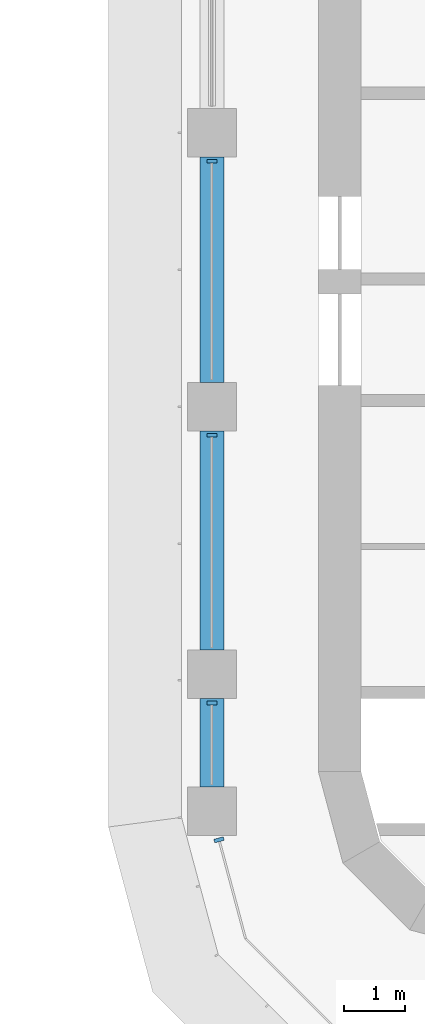
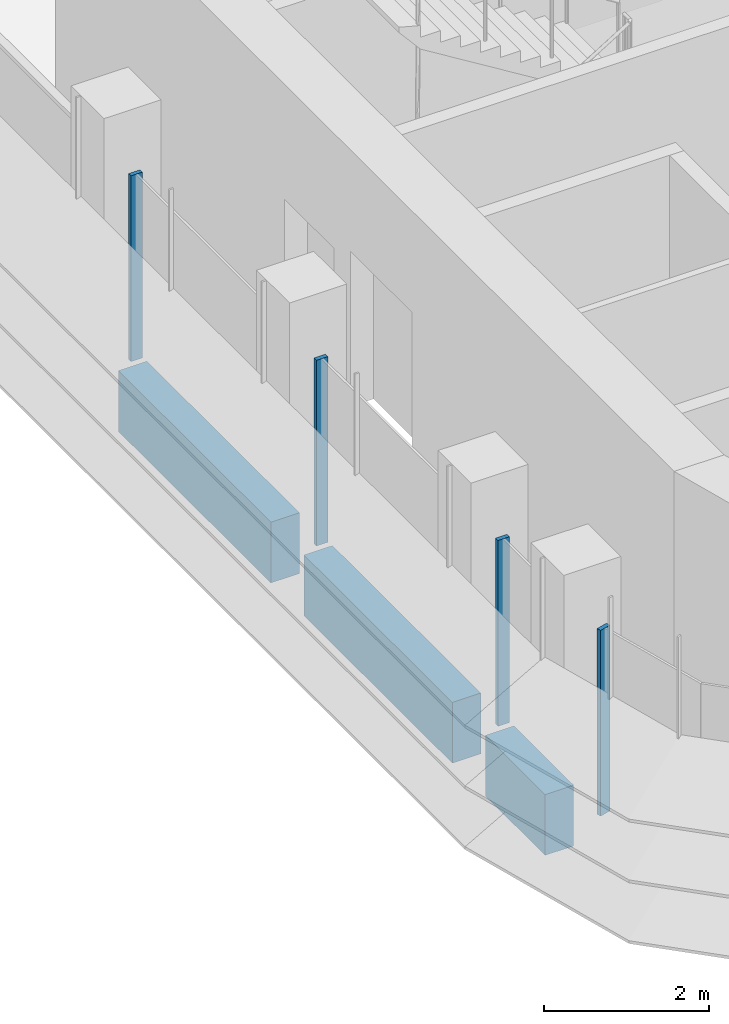
# One storey, part 2 of 20: 4 members, 3 beams, 2 elements without a shape of their own.
"""IFC4 building model written with IfcOpenShell, lengths in metres."""

from ifc_helpers import new_model, si_unit, direction, frame, origin, origin_2d, place, context, subcontext, project, spatial, polyline, rectangle, outline, extrude, source, transform, mapped, material, material_profile, profile_set, type_object, element, aggregate, save


model = new_model("IFC4")

# Units and contexts
model_context = context("Model", 3, precision=1e-05, world=origin(), true_north=direction((0.0, 1.0)))
body_context = subcontext(model_context, "Body", "Model", "MODEL_VIEW")
ifc_project = project(units=[si_unit("LENGTHUNIT", "METRE"), si_unit("AREAUNIT", "SQUARE_METRE"), si_unit("VOLUMEUNIT", "CUBIC_METRE"), si_unit("PLANEANGLEUNIT", "RADIAN"), si_unit("MASSUNIT", "GRAM", prefix="KILO")], contexts=[model_context])

# Site, building, storey
site_placement = place(None, origin())
site = spatial("IfcSite", under=ifc_project, at=site_placement, CompositionType="ELEMENT")
building_placement = place(site_placement, origin())
building = spatial("IfcBuilding", under=site, at=building_placement, Name="Zarbagh Exchange Tower", CompositionType="ELEMENT")
storey_placement = place(building_placement, frame((0.0, 0.0, 163.800048828125)))
storey = spatial("IfcBuildingStorey", under=building, at=storey_placement, Name="L39", CompositionType="ELEMENT", Elevation=163.800048828125)

# Beams
ifc_material_1 = material(Name="Concrete C50/60", Category="concrete")
ifc_material_profile = material_profile(ifc_material_1, rectangle(XDim=0.39990234375, YDim=0.89990234375, at=origin_2d()), Name="RC spandrel beam 400 x 900 C50/60")
ifc_profile_set = profile_set([ifc_material_profile], Name="Concrete C50/60")
beam_type = type_object("IfcBeamType", Name="RC spandrel beam 400 x 900 C50/60", PredefinedType="SPANDREL", material=ifc_profile_set)
beam_1_placement = place(storey_placement, frame((-6.25, -26.5, -0.60009765625), z_axis=(0.0, 1.0, 0.0), x_axis=(-1.0, 0.0, 0.0)))
element("IfcBeam", 1, at=beam_1_placement, inside=storey, type_object=beam_type, Name="RC spandrel beam", PredefinedType="SPANDREL", context=body_context, shape_type="SweptSolid", body=[
    extrude(rectangle(XDim=0.39990234375, YDim=0.89990234375, at=origin_2d()), origin(), (0.0, 0.0, 1.0), 1.449951171875),
])
beam_2_placement = place(storey_placement, frame((-6.25, -24.25, -0.60009765625), z_axis=(0.0, 1.0, 0.0), x_axis=(-1.0, 0.0, 0.0)))
element("IfcBeam", 2, at=beam_2_placement, inside=storey, type_object=beam_type, Name="RC spandrel beam", PredefinedType="SPANDREL", context=body_context, shape_type="SweptSolid", body=[
    extrude(rectangle(XDim=0.39990234375, YDim=0.89990234375, at=origin_2d()), origin(), (0.0, 0.0, 1.0), 3.60009765625),
])
beam_3_placement = place(storey_placement, frame((-6.25, -19.85009765625, -0.60009765625), z_axis=(0.0, 1.0, 0.0), x_axis=(-1.0, 0.0, 0.0)))
element("IfcBeam", 3, at=beam_3_placement, inside=storey, type_object=beam_type, Name="RC spandrel beam", PredefinedType="SPANDREL", context=body_context, shape_type="SweptSolid", body=[
    extrude(rectangle(XDim=0.39990234375, YDim=0.89990234375, at=origin_2d()), origin(), (0.0, 0.0, 1.0), 3.7001953125),
])

# Curtain wall, members
ifc_material_2 = material(Name="Anodised aluminium frame and glazing", Category="aluminium")
curtain_wall_type = type_object("IfcCurtainWallType", Name="CWB Ribbon glazing, upper zones", PredefinedType="NOTDEFINED", material=ifc_material_2)
curtain_wall_1_placement = place(storey_placement, origin())
curtain_wall_1 = element("IfcCurtainWall", 4, at=curtain_wall_1_placement, inside=storey, type_object=curtain_wall_type, Name="CWB53 curtain wall", PredefinedType="NOTDEFINED")
ifc_material_3 = material(Name="Anodised aluminium frame", Category="aluminium")
member_type = type_object("IfcMemberType", Name="MUB Mullion, anodised aluminium frame", PredefinedType="MULLION", material=ifc_material_3)
shared_shape = source(origin(), body_context, "Body", "SweptSolid", [
    extrude(outline(polyline([(0.0, -0.080078125), (0.06005859375, -0.080078125), (0.06005859375, 0.080078125), (0.0, 0.080078125), (0.0, -0.080078125)])), origin(), (0.0, 0.0, 1.0), 2.75),
])
placement = place(storey_placement, origin())
member_1 = element("IfcMember", 5, at=placement, type_object=member_type, Name="CWB53 mullion 2.1", PredefinedType="MULLION", context=body_context, shape_type="MappedRepresentation", body=[
    mapped(shared_shape, transform((-6.25, -16.18994140625, 0.0), x_axis=(0.0, -1.0, 0.0), y_axis=(1.0, 0.0, 0.0), z_axis=(0.0, 0.0, 1.0))),
])
member_2 = element("IfcMember", 6, at=placement, type_object=member_type, Name="CWB53 mullion 3.1", PredefinedType="MULLION", context=body_context, shape_type="MappedRepresentation", body=[
    mapped(shared_shape, transform((-6.25, -20.68994140625, 0.0), x_axis=(0.0, -1.0, 0.0), y_axis=(1.0, 0.0, 0.0), z_axis=(0.0, 0.0, 1.0))),
])
member_3 = element("IfcMember", 7, at=placement, type_object=member_type, Name="CWB53 mullion 4.1", PredefinedType="MULLION", context=body_context, shape_type="MappedRepresentation", body=[
    mapped(shared_shape, transform((-6.25, -25.090087890625, 0.0), x_axis=(0.0, -1.0, 0.0), y_axis=(1.0, 0.0, 0.0), z_axis=(0.0, 0.0, 1.0))),
])
aggregate(curtain_wall_1, [member_1, member_2, member_3])

# Curtain wall, member
curtain_wall_2_placement = place(storey_placement, origin())
curtain_wall_2 = element("IfcCurtainWall", 8, at=curtain_wall_2_placement, inside=storey, type_object=curtain_wall_type, Name="CWB54 curtain wall", PredefinedType="NOTDEFINED")
member_4 = element("IfcMember", 9, at=placement, type_object=member_type, Name="CWB54 mullion 1.1", PredefinedType="MULLION", context=body_context, shape_type="MappedRepresentation", body=[
    mapped(shared_shape, transform((-6.141357421875, -27.33984375, 0.0), x_axis=(0.258824779902, -0.965924289636, 0.0), y_axis=(0.965924289636, 0.258824779902, 0.0), z_axis=(0.0, 0.0, 1.0))),
])
aggregate(curtain_wall_2, [member_4])

save(model, "model.ifc")
